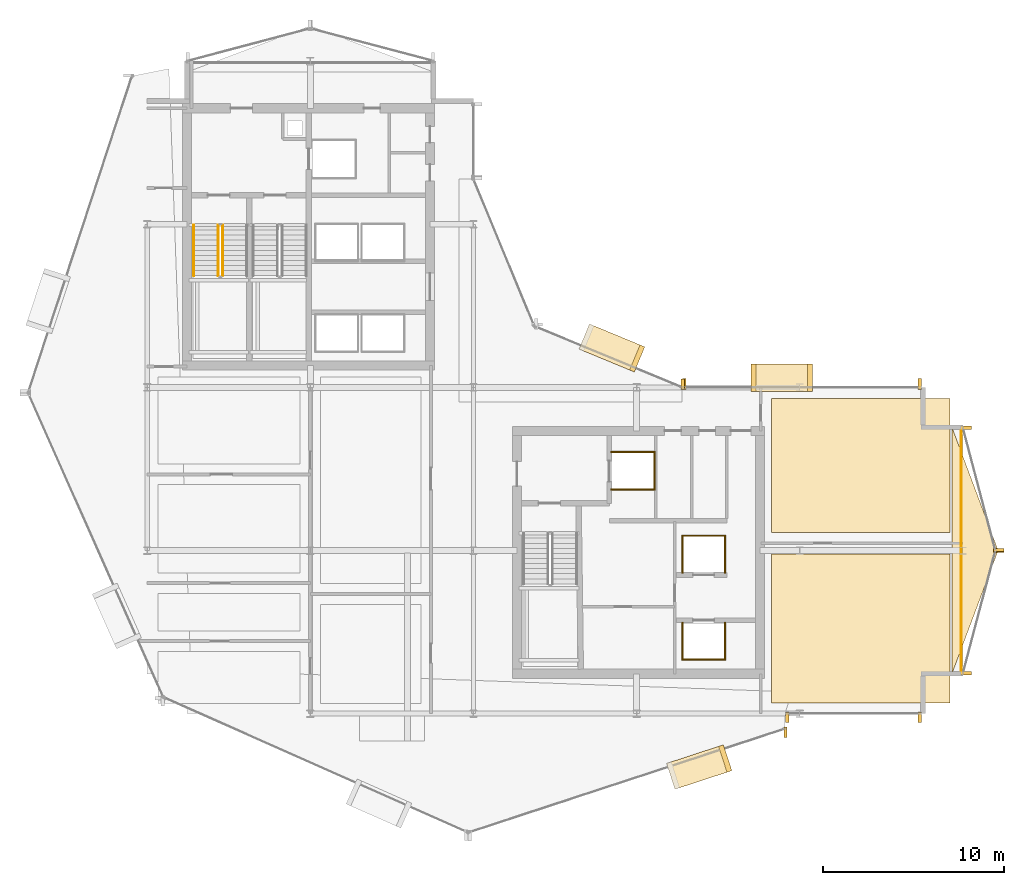
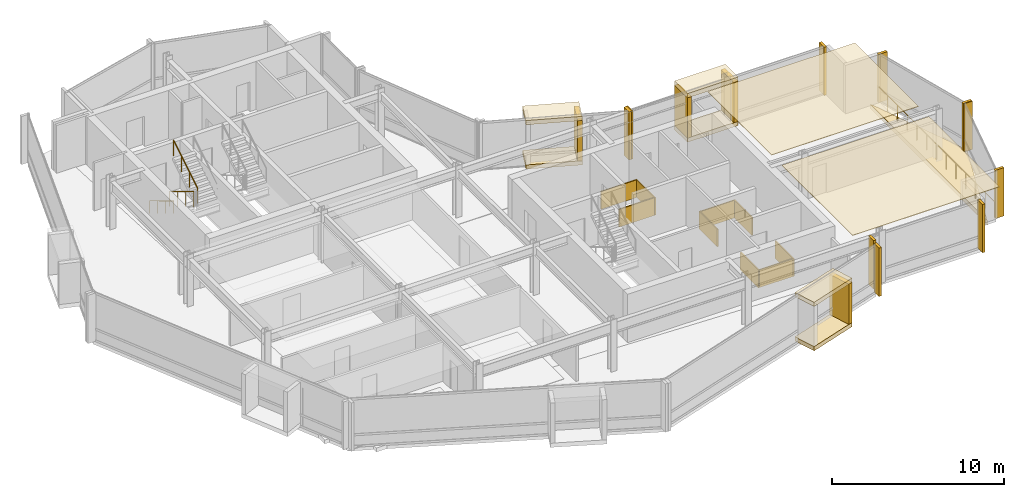
# One storey, part 26 of 27: 32 coverings, 4 railings.
"""IFC4 building model written with IfcOpenShell, lengths in metres."""

from ifc_helpers import new_model, si_unit, direction, frame, origin, origin_2d, place, context, subcontext, project, spatial, polyline, rectangle, circle, outline, extrude, material, layer, layer_set, type_object, element, save


model = new_model("IFC4")

# Units and contexts
model_context = context("Model", 3, precision=1e-05, world=origin(), true_north=direction((0.0, 1.0)))
body_context = subcontext(model_context, "Body", "Model", "MODEL_VIEW")
ifc_project = project(units=[si_unit("LENGTHUNIT", "METRE"), si_unit("AREAUNIT", "SQUARE_METRE"), si_unit("VOLUMEUNIT", "CUBIC_METRE"), si_unit("PLANEANGLEUNIT", "RADIAN"), si_unit("MASSUNIT", "GRAM", prefix="KILO")], contexts=[model_context])

# Site, building, storey
site_placement = place(None, origin())
site = spatial("IfcSite", under=ifc_project, at=site_placement, CompositionType="ELEMENT")
building_placement = place(site_placement, origin())
building = spatial("IfcBuilding", under=site, at=building_placement, Name="Solvaryn Broadcast Tower", CompositionType="ELEMENT")
storey_placement = place(building_placement, frame((0.0, 0.0, 185.300048828125)))
storey = spatial("IfcBuildingStorey", under=building, at=storey_placement, Name="L46", CompositionType="ELEMENT", Elevation=185.300048828125)

# Coverings
ifc_material_1 = material(Name="Micro-Perforated Acoustic Gypsum Ceiling", Category="concrete")
ifc_layer_1 = layer(ifc_material_1, 0.0400390625)
ifc_layer_set_1 = layer_set([ifc_layer_1], Name="CV-CEIL-ACOUSTIC")
covering_type_1 = type_object("IfcCoveringType", Name="CV-CEIL-ACOUSTIC", PredefinedType="CEILING", material=ifc_layer_set_1)
covering_1_placement = place(storey_placement, frame((0.0, 0.0, 3.3798828125)))
element("IfcCovering", 1, at=covering_1_placement, inside=storey, type_object=covering_type_1, Name="L46 Room Acoustic Ceiling 7", PredefinedType="CEILING", context=body_context, shape_type="SweptSolid", body=[
    extrude(outline(polyline([(43.449951171875, 9.60009765625), (53.300048828125, 9.60009765625), (53.300048828125, 17.800048828125), (43.449951171875, 17.800048828125), (43.449951171875, 9.60009765625)])), origin(), (0.0, 0.0, 1.0), 0.0400390625),
])
covering_2_placement = place(storey_placement, frame((0.0, 0.0, 3.3798828125)))
element("IfcCovering", 2, at=covering_2_placement, inside=storey, type_object=covering_type_1, Name="L46 Room Acoustic Ceiling 8", PredefinedType="CEILING", context=body_context, shape_type="SweptSolid", body=[
    extrude(outline(polyline([(43.449951171875, 19.0), (53.300048828125, 19.0), (53.300048828125, 26.39990234375), (43.449951171875, 26.39990234375), (43.449951171875, 19.0)])), origin(), (0.0, 0.0, 1.0), 0.0400390625),
])
ifc_material_2 = material(Name="Fire-Rated Gypsum Shaftwall Liner", Category="concrete")
ifc_layer_2 = layer(ifc_material_2, 0.080078125)
ifc_layer_set_2 = layer_set([ifc_layer_2], Name="CV-SHAFT-LINER")
covering_type_2 = type_object("IfcCoveringType", Name="CV-SHAFT-LINER", PredefinedType="CLADDING", material=ifc_layer_set_2)
for number, where, z_axis, x_axis, name in (
    (3, (35.800048828125, 23.43994140625, 0.0), (0.0, 0.0, 1.0), (1.0, 0.0, 0.0), "L46 FL2 Hoistway Shaft Liner North"),
    (4, (35.800048828125, 21.360107421875, 0.0), (0.0, 0.0, 1.0), (1.0, 0.0, 0.0), "L46 FL2 Hoistway Shaft Liner South"),
):
    element("IfcCovering", number, at=place(storey_placement, frame(where, z_axis=z_axis, x_axis=x_axis)), inside=storey, type_object=covering_type_2, Name=name, PredefinedType="CLADDING", context=body_context, shape_type="SweptSolid", body=[
        extrude(rectangle(XDim=2.4599609375, YDim=0.080078125, at=origin_2d()), origin(), (0.0, 0.0, 1.0), 1.25),
    ])
covering_3_placement = place(storey_placement, frame((36.989990234375, 22.39990234375, 0.0), z_axis=(0.0, 0.0, 1.0), x_axis=(1.0, 0.0, 0.0)))
element("IfcCovering", 5, at=covering_3_placement, inside=storey, type_object=covering_type_2, Name="L46 FL2 Hoistway Shaft Liner East", PredefinedType="CLADDING", context=body_context, shape_type="SweptSolid", body=[
    extrude(rectangle(XDim=0.080078125, YDim=2.159912109375, at=origin_2d()), origin(), (0.0, 0.0, 1.0), 1.25),
])
covering_4_placement = place(storey_placement, frame((39.699951171875, 11.985107421875, 0.0), z_axis=(0.0, 0.0, 1.0), x_axis=(1.0, 0.0, 0.0)))
element("IfcCovering", 6, at=covering_4_placement, inside=storey, type_object=covering_type_2, Name="L46 PM1 Hoistway Shaft Liner South", PredefinedType="CLADDING", context=body_context, shape_type="SweptSolid", body=[
    extrude(rectangle(XDim=2.409912109375, YDim=0.080078125, at=origin_2d()), origin(), (0.0, 0.0, 1.0), 1.25),
])
for number, where, z_axis, x_axis, name in (
    (7, (40.864990234375, 13.0, 0.0), (0.0, 0.0, 1.0), (1.0, 0.0, 0.0), "L46 PM1 Hoistway Shaft Liner East"),
    (8, (38.534912109375, 13.0, 0.0), (0.0, 0.0, 1.0), (1.0, 0.0, 0.0), "L46 PM1 Hoistway Shaft Liner West"),
):
    element("IfcCovering", number, at=place(storey_placement, frame(where, z_axis=z_axis, x_axis=x_axis)), inside=storey, type_object=covering_type_2, Name=name, PredefinedType="CLADDING", context=body_context, shape_type="SweptSolid", body=[
        extrude(rectangle(XDim=0.080078125, YDim=2.110107421875, at=origin_2d()), origin(), (0.0, 0.0, 1.0), 1.25),
    ])
covering_5_placement = place(storey_placement, frame((39.699951171875, 18.81494140625, 0.0), z_axis=(0.0, 0.0, 1.0), x_axis=(1.0, 0.0, 0.0)))
element("IfcCovering", 9, at=covering_5_placement, inside=storey, type_object=covering_type_2, Name="L46 PM2 Hoistway Shaft Liner North", PredefinedType="CLADDING", context=body_context, shape_type="SweptSolid", body=[
    extrude(rectangle(XDim=2.409912109375, YDim=0.080078125, at=origin_2d()), origin(), (0.0, 0.0, 1.0), 1.25),
])
for number, where, z_axis, x_axis, name in (
    (10, (40.864990234375, 17.800048828125, 0.0), (0.0, 0.0, 1.0), (1.0, 0.0, 0.0), "L46 PM2 Hoistway Shaft Liner East"),
    (11, (38.534912109375, 17.800048828125, 0.0), (0.0, 0.0, 1.0), (1.0, 0.0, 0.0), "L46 PM2 Hoistway Shaft Liner West"),
):
    element("IfcCovering", number, at=place(storey_placement, frame(where, z_axis=z_axis, x_axis=x_axis)), inside=storey, type_object=covering_type_2, Name=name, PredefinedType="CLADDING", context=body_context, shape_type="SweptSolid", body=[
        extrude(rectangle(XDim=0.080078125, YDim=2.110107421875, at=origin_2d()), origin(), (0.0, 0.0, 1.0), 1.25),
    ])
ifc_material_3 = material(Name="Glazed Architectural Terracotta Rainscreen Cladding", Category="masonry")
ifc_layer_3 = layer(ifc_material_3, 0.280029296875)
ifc_layer_set_3 = layer_set([ifc_layer_3], Name="CV-TC-CLAD")
covering_type_3 = type_object("IfcCoveringType", Name="CV-TC-CLAD", PredefinedType="CLADDING", material=ifc_layer_set_3)
for number, where, z_axis, x_axis, name in (
    (12, (39.4541015625, 6.054931640625, 3.1298828125), (0.0, 0.0, 1.0), (0.950244253402, 0.311505792684, 0.0), "L46 Projecting Stone Window Box Hood 4"),
    (13, (39.4541015625, 6.054931640625, -0.01025390625), (0.0, 0.0, 1.0), (0.950244253402, 0.311505792684, 0.0), "L46 Projecting Stone Window Box Sill 4"),
):
    element("IfcCovering", number, at=place(storey_placement, frame(where, z_axis=z_axis, x_axis=x_axis)), inside=storey, type_object=covering_type_3, Name=name, PredefinedType="CLADDING", context=body_context, shape_type="SweptSolid", body=[
        extrude(rectangle(XDim=3.300048828125, YDim=1.5, at=origin_2d()), origin(), (0.0, 0.0, 1.0), 0.300048828125),
    ])
covering_6_placement = place(storey_placement, frame((40.888916015625, 6.525390625, 0.27978515625), z_axis=(0.0, 0.0, 1.0), x_axis=(0.950244253402, 0.311505792684, 0.0)))
element("IfcCovering", 14, at=covering_6_placement, inside=storey, type_object=covering_type_3, Name="L46 Projecting Stone Window Box Cheek 4-2", PredefinedType="CLADDING", context=body_context, shape_type="SweptSolid", body=[
    extrude(rectangle(XDim=0.280029296875, YDim=1.5, at=origin_2d()), origin(), (0.0, 0.0, 1.0), 2.860107421875),
])
for number, where, z_axis, x_axis, name in (
    (15, (34.636962890625, 29.174072265625, 3.1298828125), (0.0, 0.0, 1.0), (-0.923879532511, 0.382683432365, 0.0), "L46 Projecting Stone Window Box Hood 5"),
    (16, (34.636962890625, 29.174072265625, -0.01025390625), (0.0, 0.0, 1.0), (-0.923879532511, 0.382683432365, 0.0), "L46 Projecting Stone Window Box Sill 5"),
):
    element("IfcCovering", number, at=place(storey_placement, frame(where, z_axis=z_axis, x_axis=x_axis)), inside=storey, type_object=covering_type_3, Name=name, PredefinedType="CLADDING", context=body_context, shape_type="SweptSolid", body=[
        extrude(rectangle(XDim=3.300048828125, YDim=1.5, at=origin_2d()), origin(), (0.0, 0.0, 1.0), 0.300048828125),
    ])
covering_7_placement = place(storey_placement, frame((36.031982421875, 28.59619140625, 0.27978515625), z_axis=(0.0, 0.0, 1.0), x_axis=(-0.923879532511, 0.382683432365, 0.0)))
element("IfcCovering", 17, at=covering_7_placement, inside=storey, type_object=covering_type_3, Name="L46 Projecting Stone Window Box Cheek 5-1", PredefinedType="CLADDING", context=body_context, shape_type="SweptSolid", body=[
    extrude(rectangle(XDim=0.280029296875, YDim=1.5, at=origin_2d()), origin(), (0.0, 0.0, 1.0), 2.860107421875),
])
for number, where, z_axis, x_axis, name in (
    (18, (44.0, 27.530029296875, 3.1298828125), (0.0, 0.0, 1.0), (1.0, 0.0, 0.0), "L46 Projecting Stone Window Box Hood 6"),
    (19, (44.0, 27.530029296875, -0.01025390625), (0.0, 0.0, 1.0), (1.0, 0.0, 0.0), "L46 Projecting Stone Window Box Sill 6"),
):
    element("IfcCovering", number, at=place(storey_placement, frame(where, z_axis=z_axis, x_axis=x_axis)), inside=storey, type_object=covering_type_3, Name=name, PredefinedType="CLADDING", context=body_context, shape_type="SweptSolid", body=[
        extrude(rectangle(XDim=3.39990234375, YDim=1.5, at=origin_2d()), origin(), (0.0, 0.0, 1.0), 0.300048828125),
    ])
for number, where, z_axis, x_axis, name in (
    (20, (42.43994140625, 27.530029296875, 0.27978515625), (0.0, 0.0, 1.0), (1.0, 0.0, 0.0), "L46 Projecting Stone Window Box Cheek 6-1"),
    (21, (45.56005859375, 27.530029296875, 0.27978515625), (0.0, 0.0, 1.0), (1.0, 0.0, 0.0), "L46 Projecting Stone Window Box Cheek 6-2"),
):
    element("IfcCovering", number, at=place(storey_placement, frame(where, z_axis=z_axis, x_axis=x_axis)), inside=storey, type_object=covering_type_3, Name=name, PredefinedType="CLADDING", context=body_context, shape_type="SweptSolid", body=[
        extrude(rectangle(XDim=0.280029296875, YDim=1.5, at=origin_2d()), origin(), (0.0, 0.0, 1.0), 2.860107421875),
    ])
ifc_material_4 = material(Name="Extruded Architectural Terracotta Fin", Category="masonry")
ifc_layer_4 = layer(ifc_material_4, 0.179931640625)
ifc_layer_set_4 = layer_set([ifc_layer_4], Name="CV-TC-FIN")
covering_type_4 = type_object("IfcCoveringType", Name="CV-TC-FIN", PredefinedType="USERDEFINED", material=ifc_layer_set_4)
for number, where, z_axis, x_axis, name in (
    (22, (44.209716796875, 7.982666015625, 0.0), (0.0, 0.0, 1.0), (1.0, 0.0, 0.0), "L46 Terracotta Vertical Fin FIN-L46-DR4-M01"),
    (23, (38.541259765625, 27.177978515625, 0.0), (0.0, 0.0, 1.0), (1.0, 0.0, 0.0), "L46 Terracotta Vertical Fin FIN-L46-CN1-M00"),
    (24, (44.31201171875, 8.8125, 0.0), (0.0, 0.0, 1.0), (1.0, 0.0, 0.0), "L46 Terracotta Vertical Fin FIN-L46-S2-M00"),
    (25, (51.6201171875, 8.8125, 0.0), (0.0, 0.0, 1.0), (1.0, 0.0, 0.0), "L46 Terracotta Vertical Fin FIN-L46-S2-M01"),
):
    element("IfcCovering", number, at=place(storey_placement, frame(where, z_axis=z_axis, x_axis=x_axis)), inside=storey, type_object=covering_type_4, Name=name, ObjectType="FIN", PredefinedType="USERDEFINED", context=body_context, shape_type="SweptSolid", body=[
        extrude(rectangle(XDim=0.179931640625, YDim=0.580078125, at=origin_2d()), origin(), (0.0, 0.0, 1.0), 3.419921875),
    ])
for number, where, z_axis, x_axis, name in (
    (26, (54.1953125, 24.77099609375, 0.0), (0.0, 0.0, 1.0), (1.0, 0.0, 0.0), "L46 Terracotta Vertical Fin FIN-L46-ET1-M00"),
    (27, (55.979736328125, 18.029052734375, 0.0), (0.0, 0.0, 1.0), (1.0, 0.0, 0.0), "L46 Terracotta Vertical Fin FIN-L46-ET1-M01"),
    (28, (55.979736328125, 17.970947265625, 0.0), (0.0, 0.0, 1.0), (1.0, 0.0, 0.0), "L46 Terracotta Vertical Fin FIN-L46-ET2-M00"),
    (29, (54.1953125, 11.22900390625, 0.0), (0.0, 0.0, 1.0), (1.0, 0.0, 0.0), "L46 Terracotta Vertical Fin FIN-L46-ET2-M01"),
):
    element("IfcCovering", number, at=place(storey_placement, frame(where, z_axis=z_axis, x_axis=x_axis)), inside=storey, type_object=covering_type_4, Name=name, ObjectType="FIN", PredefinedType="USERDEFINED", context=body_context, shape_type="SweptSolid", body=[
        extrude(rectangle(XDim=0.580078125, YDim=0.179931640625, at=origin_2d()), origin(), (0.0, 0.0, 1.0), 3.419921875),
    ])
for number, where, z_axis, x_axis, name in (
    (30, (38.6298828125, 27.1875, 0.0), (0.0, 0.0, 1.0), (1.0, 0.0, 0.0), "L46 Terracotta Vertical Fin FIN-L46-IH-M00"),
    (31, (51.6201171875, 27.1875, 0.0), (0.0, 0.0, 1.0), (1.0, 0.0, 0.0), "L46 Terracotta Vertical Fin FIN-L46-IH-M01"),
):
    element("IfcCovering", number, at=place(storey_placement, frame(where, z_axis=z_axis, x_axis=x_axis)), inside=storey, type_object=covering_type_4, Name=name, ObjectType="FIN", PredefinedType="USERDEFINED", context=body_context, shape_type="SweptSolid", body=[
        extrude(rectangle(XDim=0.179931640625, YDim=0.580078125, at=origin_2d()), origin(), (0.0, 0.0, 1.0), 3.419921875),
    ])
ifc_material_5 = material(Name="Sculpted Architectural Terracotta Wave Fascia", Category="masonry")
ifc_layer_5 = layer(ifc_material_5, 0.340087890625)
ifc_layer_set_5 = layer_set([ifc_layer_5], Name="CV-WAVE-TRAY")
covering_type_5 = type_object("IfcCoveringType", Name="CV-WAVE-TRAY", PredefinedType="CLADDING", material=ifc_layer_set_5)
covering_8_placement = place(storey_placement, frame((0.0, 0.0, -0.300048828125)))
element("IfcCovering", 32, at=covering_8_placement, inside=storey, type_object=covering_type_5, Name="L46 East Curved Wing Deck", PredefinedType="CLADDING", context=body_context, shape_type="SweptSolid", body=[
    extrude(outline(polyline([(53.39990234375, 11.199951171875), (55.949951171875, 18.0), (53.39990234375, 24.800048828125), (53.39990234375, 11.199951171875)])), origin(), (0.0, 0.0, 1.0), 0.330078125),
])

# Railings
ifc_material_6 = material(Name="Painted Steel Stair Well Guard", Category="steel")
railing_type_1 = type_object("IfcRailingType", Name="RL-STAIR-GUARD", PredefinedType="BALUSTRADE", material=ifc_material_6)
railing_1_placement = place(storey_placement, frame((12.909912109375, 35.9599609375, 0.168212890625)))
element("IfcRailing", 33, at=railing_1_placement, inside=storey, type_object=railing_type_1, Name="L46 ST1 stair guard 1", PredefinedType="BALUSTRADE", context=body_context, shape_type="SweptSolid", body=[
    extrude(circle(Radius=0.02392578125, at=origin_2d()), frame((0.0, 0.0, 1.076171875), z_axis=(0.0, -0.857275202839, 0.514858452973), x_axis=(1.0, 0.0, 0.0)), (0.0, 0.0, 1.0), 3.26611328125),
    extrude(circle(Radius=0.02099609375, at=origin_2d()), origin(), (0.0, 0.0, 1.0), 1.052001953125),
    extrude(circle(Radius=0.02099609375, at=origin_2d()), frame((0.0, -0.933349609375, 0.560546875)), (0.0, 0.0, 1.0), 1.052001953125),
    extrude(circle(Radius=0.02099609375, at=origin_2d()), frame((0.0, -1.86669921875, 1.12109375)), (0.0, 0.0, 1.0), 1.052001953125),
    extrude(circle(Radius=0.02099609375, at=origin_2d()), frame((0.0, -2.800048828125, 1.681640625)), (0.0, 0.0, 1.0), 1.052001953125),
])
railing_2_placement = place(storey_placement, frame((13.159912109375, 33.159912109375, 2.01806640625)))
element("IfcRailing", 34, at=railing_2_placement, inside=storey, type_object=railing_type_1, Name="L46 ST1 stair guard 3", PredefinedType="BALUSTRADE", context=body_context, shape_type="SweptSolid", body=[
    extrude(circle(Radius=0.02392578125, at=origin_2d()), frame((0.0, 0.0, 1.076171875), z_axis=(0.0, 0.857242210791, 0.514913383045), x_axis=(-1.0, 0.0, 0.0)), (0.0, 0.0, 1.0), 3.266357421875),
    extrude(circle(Radius=0.02099609375, at=origin_2d()), origin(), (0.0, 0.0, 1.0), 1.052001953125),
    extrude(circle(Radius=0.02099609375, at=origin_2d()), frame((0.0, 0.933349609375, 0.560546875)), (0.0, 0.0, 1.0), 1.052001953125),
    extrude(circle(Radius=0.02099609375, at=origin_2d()), frame((0.0, 1.86669921875, 1.121337890625)), (0.0, 0.0, 1.0), 1.052001953125),
    extrude(circle(Radius=0.02099609375, at=origin_2d()), frame((0.0, 2.800048828125, 1.681884765625)), (0.0, 0.0, 1.0), 1.052001953125),
])
ifc_material_7 = material(Name="Brushed Stainless Steel Tubular Handrail", Category="steel")
railing_type_2 = type_object("IfcRailingType", Name="RL-STAIR-HANDRAIL", PredefinedType="HANDRAIL", material=ifc_material_7)
railing_3_placement = place(storey_placement, frame((11.570068359375, 35.9599609375, 0.168212890625)))
element("IfcRailing", 35, at=railing_3_placement, inside=storey, type_object=railing_type_2, Name="L46 ST1 stair handrail 1", PredefinedType="HANDRAIL", context=body_context, shape_type="SweptSolid", body=[
    extrude(circle(Radius=0.02392578125, at=origin_2d()), frame((0.0, 0.0, 0.8759765625), z_axis=(0.0, -0.857275202839, 0.514858452973), x_axis=(1.0, 0.0, 0.0)), (0.0, 0.0, 1.0), 3.26611328125),
    extrude(circle(Radius=0.02099609375, at=origin_2d()), origin(), (0.0, 0.0, 1.0), 0.851806640625),
    extrude(circle(Radius=0.02099609375, at=origin_2d()), frame((0.0, -0.933349609375, 0.560546875)), (0.0, 0.0, 1.0), 0.851806640625),
    extrude(circle(Radius=0.02099609375, at=origin_2d()), frame((0.0, -1.86669921875, 1.12109375)), (0.0, 0.0, 1.0), 0.851806640625),
    extrude(circle(Radius=0.02099609375, at=origin_2d()), frame((0.0, -2.800048828125, 1.681640625)), (0.0, 0.0, 1.0), 0.851806640625),
])
ifc_material_8 = material(Name="Stainless Steel and Laminated Glass Guard", Category="steel")
railing_type_3 = type_object("IfcRailingType", Name="RL-TER-1150", PredefinedType="BALUSTRADE", material=ifc_material_8)
railing_4_placement = place(storey_placement, frame((53.919921875, 11.199951171875, 0.0)))
element("IfcRailing", 36, at=railing_4_placement, inside=storey, type_object=railing_type_3, Name="L46 East Wing Spandrel Edge Guard", PredefinedType="BALUSTRADE", context=body_context, shape_type="SweptSolid", body=[
    extrude(circle(Radius=0.02392578125, at=origin_2d()), frame((0.0, 0.0, 1.1259765625), z_axis=(0.0, 1.0, 0.0), x_axis=(-1.0, 0.0, 0.0)), (0.0, 0.0, 1.0), 13.60009765625),
    extrude(circle(Radius=0.02099609375, at=origin_2d()), origin(), (0.0, 0.0, 1.0), 1.101806640625),
    extrude(circle(Radius=0.02099609375, at=origin_2d()), frame((0.0, 1.13330078125, 0.0)), (0.0, 0.0, 1.0), 1.101806640625),
    extrude(circle(Radius=0.02099609375, at=origin_2d()), frame((0.0, 2.2666015625, 0.0)), (0.0, 0.0, 1.0), 1.101806640625),
    extrude(circle(Radius=0.02099609375, at=origin_2d()), frame((0.0, 3.39990234375, 0.0)), (0.0, 0.0, 1.0), 1.101806640625),
    extrude(circle(Radius=0.02099609375, at=origin_2d()), frame((0.0, 4.533447265625, 0.0)), (0.0, 0.0, 1.0), 1.101806640625),
    extrude(circle(Radius=0.02099609375, at=origin_2d()), frame((0.0, 5.666748046875, 0.0)), (0.0, 0.0, 1.0), 1.101806640625),
    extrude(circle(Radius=0.02099609375, at=origin_2d()), frame((0.0, 6.800048828125, 0.0)), (0.0, 0.0, 1.0), 1.101806640625),
    extrude(circle(Radius=0.02099609375, at=origin_2d()), frame((0.0, 7.933349609375, 0.0)), (0.0, 0.0, 1.0), 1.101806640625),
    extrude(circle(Radius=0.02099609375, at=origin_2d()), frame((0.0, 9.066650390625, 0.0)), (0.0, 0.0, 1.0), 1.101806640625),
    extrude(circle(Radius=0.02099609375, at=origin_2d()), frame((0.0, 10.2001953125, 0.0)), (0.0, 0.0, 1.0), 1.101806640625),
    extrude(circle(Radius=0.02099609375, at=origin_2d()), frame((0.0, 11.33349609375, 0.0)), (0.0, 0.0, 1.0), 1.101806640625),
    extrude(circle(Radius=0.02099609375, at=origin_2d()), frame((0.0, 12.466796875, 0.0)), (0.0, 0.0, 1.0), 1.101806640625),
    extrude(circle(Radius=0.02099609375, at=origin_2d()), frame((0.0, 13.60009765625, 0.0)), (0.0, 0.0, 1.0), 1.101806640625),
])

save(model, "model.ifc")
